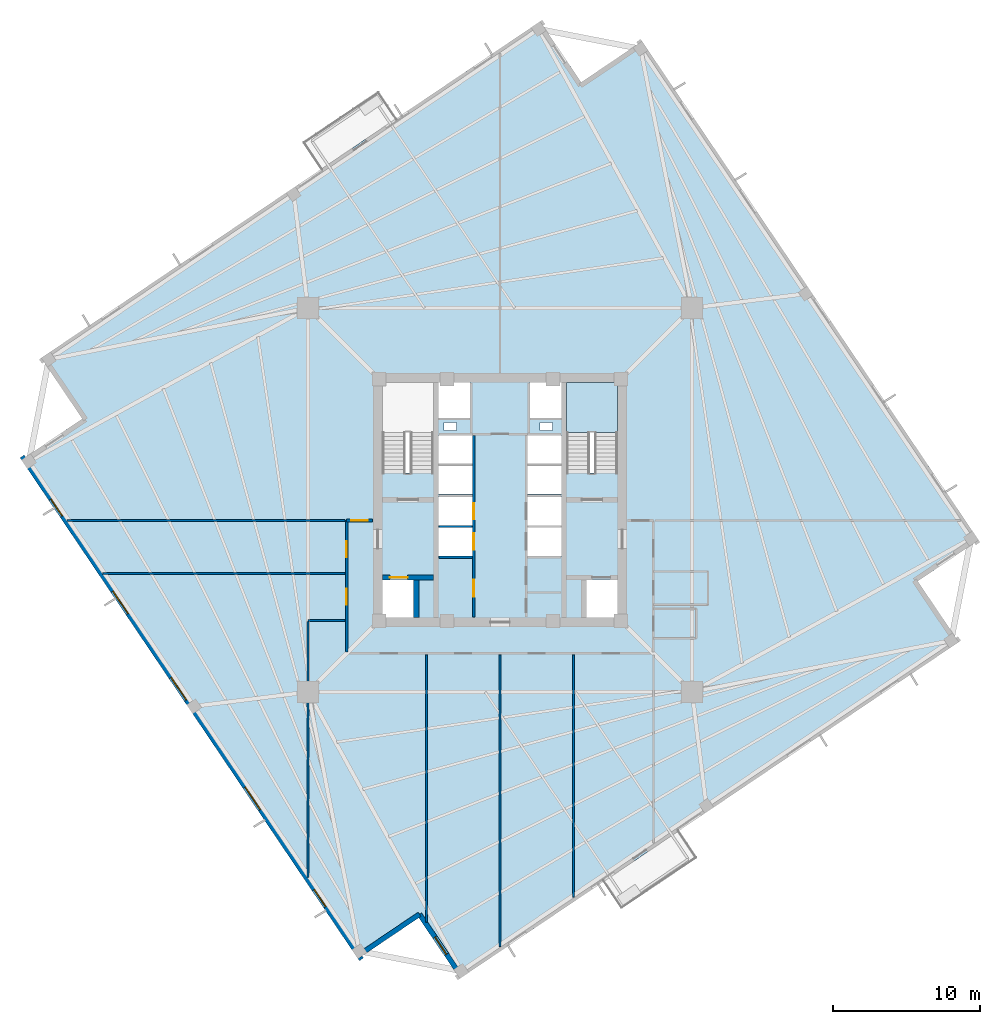
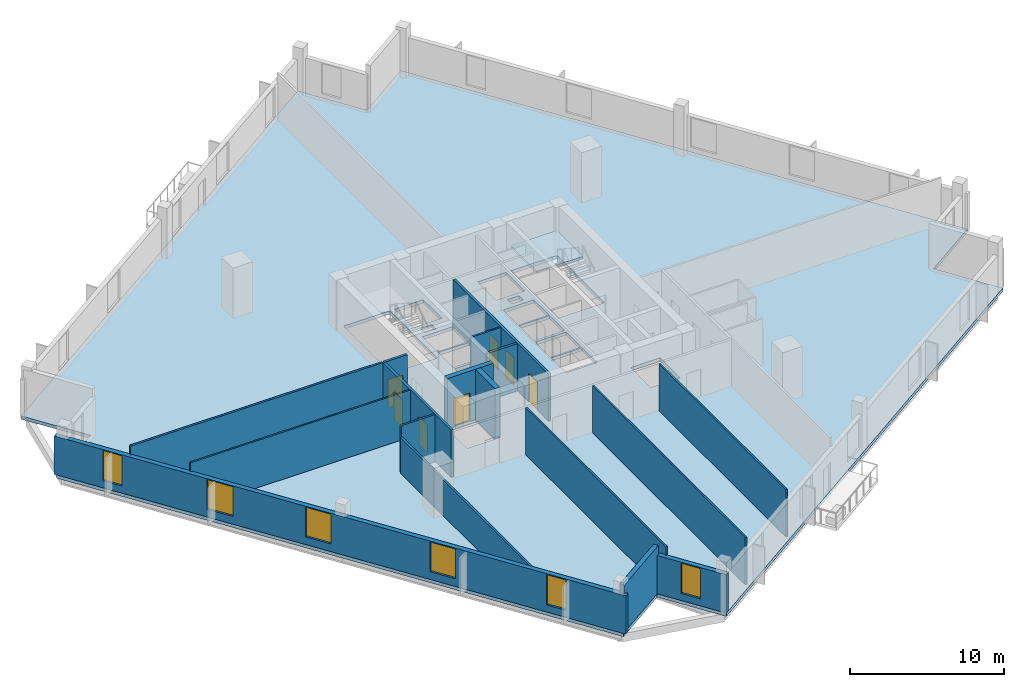
# One storey, part 2 of 8: 17 walls, 7 doors, 6 windows, 2 slabs, 13 openings, 1 element without a shape of its own.
"""IFC4 building model written with IfcOpenShell, lengths in metres."""

from ifc_helpers import new_model, si_unit, direction, frame, frame_2d, origin, place, context, subcontext, project, spatial, polyline, rectangle, outline, extrude, source, transform, mapped, material, layer, layer_set, type_object, element, fill, aggregate, save


model = new_model("IFC4")

# Units and contexts
model_context = context("Model", 3, precision=1e-05, world=origin(), true_north=direction((0.0, 1.0)))
body_context = subcontext(model_context, "Body", "Model", "MODEL_VIEW")
ifc_project = project(units=[si_unit("LENGTHUNIT", "METRE"), si_unit("AREAUNIT", "SQUARE_METRE"), si_unit("VOLUMEUNIT", "CUBIC_METRE"), si_unit("PLANEANGLEUNIT", "RADIAN"), si_unit("MASSUNIT", "GRAM", prefix="KILO"), si_unit("THERMODYNAMICTEMPERATUREUNIT", "KELVIN")], contexts=[model_context])

# Site, building, storey
site_placement = place(None, origin())
site = spatial("IfcSite", under=ifc_project, at=site_placement, CompositionType="ELEMENT")
building_placement = place(site_placement, origin())
building = spatial("IfcBuilding", under=site, at=building_placement, Name="Kosmvard Interchange Tower", CompositionType="ELEMENT")
storey_placement = place(building_placement, frame((0.0, 0.0, 152.39990234375)))
storey = spatial("IfcBuildingStorey", under=building, at=storey_placement, Name="L36", CompositionType="ELEMENT", Elevation=152.39990234375)

# Slab
ifc_material_1 = material(Name="Concrete C50/60", Category="concrete")
ifc_layer_1 = layer(ifc_material_1, 0.260009765625, Name="Concrete C50/60")
ifc_layer_set_1 = layer_set([ifc_layer_1], Name="Concrete C50/60")
slab_type_1 = type_object("IfcSlabType", Name="Mid-Rise Office Composite Slab 260 C50/60", PredefinedType="FLOOR", material=ifc_layer_set_1)
slab_1_placement = place(storey_placement, frame((0.0, 0.0, -0.260009765625)))
element("IfcSlab", 1, at=slab_1_placement, inside=storey, type_object=slab_type_1, Name="L36 Structural Floor Slab", PredefinedType="FLOOR", context=body_context, shape_type="SweptSolid", body=[
    extrude(outline(polyline([(-2.73583984375, -32.60400390625), (31.254638671875, -9.677001953125), (28.458740234375, -5.53173828125), (32.60400390625, -2.73583984375), (9.677001953125, 31.254638671875), (5.53173828125, 28.458740234375), (2.73583984375, 32.60400390625), (-31.254638671875, 9.677001953125), (-28.458740234375, 5.53173828125), (-32.60400390625, 2.73583984375), (-9.677001953125, -31.254638671875), (-5.53173828125, -28.458740234375), (-2.73583984375, -32.60400390625)]), holes=[polyline([(-8.0, 1.8349609375), (-4.5400390625, 1.8349609375), (-4.5400390625, 8.0), (-8.0, 8.0), (-8.0, 1.8349609375)]), polyline([(4.5400390625, 1.8349609375), (8.0, 1.8349609375), (8.0, 8.0), (4.5400390625, 8.0), (4.5400390625, 1.8349609375)]), polyline([(-8.0, -8.0), (-5.800048828125, -8.0), (-5.800048828125, -5.39990234375), (-8.0, -5.39990234375), (-8.0, -8.0)]), polyline([(5.800048828125, -8.0), (8.0, -8.0), (8.0, -5.39990234375), (5.800048828125, -5.39990234375), (5.800048828125, -8.0)]), polyline([(-4.179931640625, -3.800048828125), (-1.8798828125, -3.800048828125), (-1.8798828125, -1.860107421875), (-4.179931640625, -1.860107421875), (-4.179931640625, -3.800048828125)]), polyline([(-4.179931640625, -1.739990234375), (-1.8798828125, -1.739990234375), (-1.8798828125, 0.199951171875), (-4.179931640625, 0.199951171875), (-4.179931640625, -1.739990234375)]), polyline([(1.8798828125, -3.800048828125), (4.179931640625, -3.800048828125), (4.179931640625, -1.860107421875), (1.8798828125, -1.860107421875), (1.8798828125, -3.800048828125)]), polyline([(1.8798828125, -1.739990234375), (4.179931640625, -1.739990234375), (4.179931640625, 0.199951171875), (1.8798828125, 0.199951171875), (1.8798828125, -1.739990234375)]), polyline([(-4.179931640625, 0.39990234375), (-1.8798828125, 0.39990234375), (-1.8798828125, 2.340087890625), (-4.179931640625, 2.340087890625), (-4.179931640625, 0.39990234375)]), polyline([(-4.179931640625, 2.4599609375), (-1.8798828125, 2.4599609375), (-1.8798828125, 4.39990234375), (-4.179931640625, 4.39990234375), (-4.179931640625, 2.4599609375)]), polyline([(1.8798828125, 0.39990234375), (4.179931640625, 0.39990234375), (4.179931640625, 2.340087890625), (1.8798828125, 2.340087890625), (1.8798828125, 0.39990234375)]), polyline([(1.8798828125, 2.4599609375), (4.179931640625, 2.4599609375), (4.179931640625, 4.39990234375), (1.8798828125, 4.39990234375), (1.8798828125, 2.4599609375)]), polyline([(-4.179931640625, 5.60009765625), (-2.0400390625, 5.60009765625), (-2.0400390625, 8.0), (-4.179931640625, 8.0), (-4.179931640625, 5.60009765625)]), polyline([(2.0400390625, 5.60009765625), (4.179931640625, 5.60009765625), (4.179931640625, 8.0), (2.0400390625, 8.0), (2.0400390625, 5.60009765625)]), polyline([(-3.81494140625, 4.739990234375), (-2.965087890625, 4.739990234375), (-2.965087890625, 5.2900390625), (-3.81494140625, 5.2900390625), (-3.81494140625, 4.739990234375)]), polyline([(2.715087890625, 4.739990234375), (3.56494140625, 4.739990234375), (3.56494140625, 5.2900390625), (2.715087890625, 5.2900390625), (2.715087890625, 4.739990234375)])]), origin(), (0.0, 0.0, 1.0), 0.260009765625),
])

# Stair, slab
stair_type = type_object("IfcStairType", Name="Dog-Leg Core Exit Stair H4000 C50/60", PredefinedType="HALF_TURN_STAIR", material=ifc_material_1)
stair_placement = place(storey_placement, origin())
stair = element("IfcStair", 2, at=stair_placement, inside=storey, type_object=stair_type, Name="L36 Protected Exit Stair ST-2", PredefinedType="HALF_TURN_STAIR")
ifc_layer_2 = layer(ifc_material_1, 0.199951171875, Name="Concrete C50/60")
ifc_layer_set_2 = layer_set([ifc_layer_2], Name="Concrete C50/60")
slab_type_2 = type_object("IfcSlabType", Name="Stair Half-Landing Slab 200 C50/60", PredefinedType="LANDING", material=ifc_layer_set_2)
slab_2_placement = place(storey_placement, frame((0.0, 0.0, 1.800048828125)))
slab_2 = element("IfcSlab", 3, at=slab_2_placement, type_object=slab_type_2, Name="ST-2 landing 1", PredefinedType="LANDING", context=body_context, shape_type="SweptSolid", body=[
    extrude(outline(polyline([(8.0, 4.60009765625), (8.0, 8.0), (4.5400390625, 8.0), (4.5400390625, 4.60009765625), (8.0, 4.60009765625)])), origin(), (0.0, 0.0, 1.0), 0.199951171875),
])
aggregate(stair, [slab_2])

# Walls
ifc_material_2 = material(Name="Acoustic gypsum partition system")
ifc_layer_3 = layer(ifc_material_2, 0.14990234375, Name="Acoustic gypsum partition system")
ifc_layer_set_3 = layer_set([ifc_layer_3], Name="Acoustic gypsum partition system")
wall_type_1 = type_object("IfcWallType", Name="Acoustic Suite & Meeting Partition 150", PredefinedType="PARTITIONING", material=ifc_layer_set_3)
wall_1_placement = place(storey_placement, frame((-29.482421875, -1.39990234375, 0.0), z_axis=(0.0, 0.0, 1.0), x_axis=(1.0, 0.0, 0.0)))
element("IfcWall", 4, at=wall_1_placement, inside=storey, type_object=wall_type_1, Name="L36 Room Partition 02.1", PredefinedType="PARTITIONING", context=body_context, shape_type="SweptSolid", body=[
    extrude(rectangle(XDim=18.9375, YDim=0.14990234375, at=frame_2d((9.46875, 0.0))), origin(), (0.0, 0.0, 1.0), 3.739990234375),
])
wall_2_placement = place(storey_placement, frame((-10.544921875, -8.199951171875, 0.0), z_axis=(0.0, 0.0, 1.0), x_axis=(-1.0, 0.0, 0.0)))
element("IfcWall", 5, at=wall_2_placement, inside=storey, type_object=wall_type_1, Name="L36 Room Partition 04.1", PredefinedType="PARTITIONING", context=body_context, shape_type="SweptSolid", body=[
    extrude(rectangle(XDim=2.5361328125, YDim=0.14990234375, at=frame_2d((1.26806640625, 0.0))), origin(), (0.0, 0.0, 1.0), 3.739990234375),
])
wall_3_placement = place(storey_placement, frame((-13.0810546875, -8.27490234375, 0.0), z_axis=(0.0, 0.0, 1.0), x_axis=(0.0, -1.0, 0.0)))
element("IfcWall", 6, at=wall_3_placement, inside=storey, type_object=wall_type_1, Name="L36 Room Partition 05.1", PredefinedType="PARTITIONING", context=body_context, shape_type="SweptSolid", body=[
    extrude(rectangle(XDim=17.44140625, YDim=0.14990234375, at=frame_2d((8.720703125, 0.0))), origin(), (0.0, 0.0, 1.0), 2.840087890625),
])

# Wall, openings, doors
ifc_material_3 = material(Name="Fire-rated gypsum partition system")
ifc_layer_4 = layer(ifc_material_3, 0.179931640625, Name="Fire-rated gypsum partition system")
ifc_layer_set_4 = layer_set([ifc_layer_4], Name="Fire-rated gypsum partition system")
wall_type_2 = type_object("IfcWallType", Name="Corridor & Hotel Compartment Partition 180", PredefinedType="PARTITIONING", material=ifc_layer_set_4)
wall_4_placement = place(storey_placement, frame((-1.7900390625, -7.97998046875, 0.0), z_axis=(0.0, 0.0, 1.0), x_axis=(0.0, 1.0, 0.0)))
wall_4 = element("IfcWall", 7, at=wall_4_placement, inside=storey, type_object=wall_type_2, Name="L36 West Lift Bank Front Wall", PredefinedType="PARTITIONING", context=body_context, shape_type="SweptSolid", body=[
    extrude(rectangle(XDim=12.3798828125, YDim=0.179931640625, at=frame_2d((6.18994140625, 0.0))), origin(), (0.0, 0.0, 1.0), 3.739990234375),
])
opening_1_placement = place(wall_4_placement, frame((4.60009765625, 0.0, 0.0)))
opening_1 = element("IfcOpeningElement", 8, at=opening_1_placement, cuts=wall_4, Name="Opening LD-PL-M1-L36", PredefinedType="OPENING", context=body_context, shape_type="SweptSolid", body=[
    extrude(rectangle(XDim=1.10009765625, YDim=2.199951171875, at=frame_2d((0.550048828125, 1.10009765625))), frame((0.0, 0.10009765625, 0.0), z_axis=(0.0, -1.0, 0.0), x_axis=(1.0, 0.0, 0.0)), (0.0, 0.0, 1.0), 0.199951171875),
])
opening_2_placement = place(wall_4_placement, frame((6.659912109375, 0.0, 0.0)))
opening_2 = element("IfcOpeningElement", 9, at=opening_2_placement, cuts=wall_4, Name="Opening LD-PL-M2-L36", PredefinedType="OPENING", context=body_context, shape_type="SweptSolid", body=[
    extrude(rectangle(XDim=1.10009765625, YDim=2.199951171875, at=frame_2d((0.550048828125, 1.10009765625))), frame((0.0, 0.10009765625, 0.0), z_axis=(0.0, -1.0, 0.0), x_axis=(1.0, 0.0, 0.0)), (0.0, 0.0, 1.0), 0.199951171875),
])
opening_3_placement = place(wall_4_placement, frame((1.39990234375, 0.0, 0.0)))
opening_3 = element("IfcOpeningElement", 10, at=opening_3_placement, cuts=wall_4, Name="Opening L36-CD1", PredefinedType="OPENING", context=body_context, shape_type="SweptSolid", body=[
    extrude(rectangle(XDim=1.14990234375, YDim=2.25, at=frame_2d((0.574951171875, 1.125))), frame((0.0, 0.10009765625, 0.0), z_axis=(0.0, -1.0, 0.0), x_axis=(1.0, 0.0, 0.0)), (0.0, 0.0, 1.0), 0.199951171875),
])
ifc_material_4 = material(Name="Painted fire-rated steel leaf", Category="steel")
door_type_1 = type_object("IfcDoorType", Name="Plant & Riser Fire Door 1150x2250 EI60", OperationType="NOTDEFINED", PredefinedType="DOOR", material=ifc_material_4)
shared_shape_1 = source(origin(), body_context, "Body", "SweptSolid", [
    extrude(rectangle(XDim=1.14990234375, YDim=2.25, at=frame_2d((0.574951171875, 1.125))), frame((0.0, 0.02490234375, 0.0), z_axis=(0.0, -1.0, 0.0), x_axis=(1.0, 0.0, 0.0)), (0.0, 0.0, 1.0), 0.050048828125),
])
door_1_placement = place(opening_3_placement, origin())
door_1 = element("IfcDoor", 11, at=door_1_placement, inside=storey, type_object=door_type_1, Name="L36 Core Server Door", OperationType="SINGLE_SWING_LEFT", OverallHeight=2.25, OverallWidth=1.14990234375, PredefinedType="DOOR", context=body_context, shape_type="MappedRepresentation", body=[
    mapped(shared_shape_1, transform((0.0, 0.0, 0.0), scale=1.0)),
])
fill(opening_3, door_1)
ifc_material_5 = material(Name="Brushed stainless steel sliding leaf", Category="steel")
door_type_2 = type_object("IfcDoorType", Name="Passenger Lift Sliding Landing Door 1100x2200 EI60", OperationType="DOUBLE_DOOR_SLIDING", PredefinedType="DOOR", material=ifc_material_5)
shared_shape_2 = source(origin(), body_context, "Body", "SweptSolid", [
    extrude(rectangle(XDim=1.10009765625, YDim=2.199951171875, at=frame_2d((0.550048828125, 1.10009765625))), frame((0.0, 0.02490234375, 0.0), z_axis=(0.0, -1.0, 0.0), x_axis=(1.0, 0.0, 0.0)), (0.0, 0.0, 1.0), 0.050048828125),
])
door_2_placement = place(opening_1_placement, frame((1.10009765625, 0.0, 0.0), z_axis=(0.0, 0.0, 1.0), x_axis=(-1.0, 0.0, 0.0)))
door_2 = element("IfcDoor", 12, at=door_2_placement, inside=storey, type_object=door_type_2, Name="Lift PL-M1 Landing Door L36", OperationType="DOUBLE_DOOR_SLIDING", OverallHeight=2.199951171875, OverallWidth=1.10009765625, PredefinedType="DOOR", context=body_context, shape_type="MappedRepresentation", body=[
    mapped(shared_shape_2, transform((0.0, 0.0, 0.0), scale=1.0)),
])
fill(opening_1, door_2)
door_3_placement = place(opening_2_placement, frame((1.10009765625, 0.0, 0.0), z_axis=(0.0, 0.0, 1.0), x_axis=(-1.0, 0.0, 0.0)))
door_3 = element("IfcDoor", 13, at=door_3_placement, inside=storey, type_object=door_type_2, Name="Lift PL-M2 Landing Door L36", OperationType="DOUBLE_DOOR_SLIDING", OverallHeight=2.199951171875, OverallWidth=1.10009765625, PredefinedType="DOOR", context=body_context, shape_type="MappedRepresentation", body=[
    mapped(shared_shape_2, transform((0.0, 0.0, 0.0), scale=1.0)),
])
fill(opening_2, door_3)

wall_5_placement = place(storey_placement, frame((-10.449951171875, -10.35009765625, 0.0), z_axis=(0.0, 0.0, 1.0), x_axis=(0.0, 1.0, 0.0)))
wall_5 = element("IfcWall", 14, at=wall_5_placement, inside=storey, type_object=wall_type_2, Name="L36 Corridor Wall CW", PredefinedType="PARTITIONING", context=body_context, shape_type="SweptSolid", body=[
    extrude(rectangle(XDim=8.9501953125, YDim=0.179931640625, at=frame_2d((4.47509765625, 0.0))), origin(), (0.0, 0.0, 1.0), 3.739990234375),
])
opening_4_placement = place(wall_5_placement, frame((6.435546875, 0.0, 0.0)))
opening_4 = element("IfcOpeningElement", 15, at=opening_4_placement, cuts=wall_5, Name="Opening L36-D05", PredefinedType="OPENING", context=body_context, shape_type="SweptSolid", body=[
    extrude(rectangle(XDim=1.10009765625, YDim=2.199951171875, at=frame_2d((0.550048828125, 1.10009765625))), frame((0.0, 0.10009765625, 0.0), z_axis=(0.0, -1.0, 0.0), x_axis=(1.0, 0.0, 0.0)), (0.0, 0.0, 1.0), 0.199951171875),
])
opening_5_placement = place(wall_5_placement, frame((3.199951171875, 0.0, 0.0)))
opening_5 = element("IfcOpeningElement", 16, at=opening_5_placement, cuts=wall_5, Name="Opening L36-D06", PredefinedType="OPENING", context=body_context, shape_type="SweptSolid", body=[
    extrude(rectangle(XDim=1.10009765625, YDim=2.199951171875, at=frame_2d((0.550048828125, 1.10009765625))), frame((0.0, 0.10009765625, 0.0), z_axis=(0.0, -1.0, 0.0), x_axis=(1.0, 0.0, 0.0)), (0.0, 0.0, 1.0), 0.199951171875),
])
ifc_material_6 = material(Name="Engineered oak fire-rated timber", Category="wood")
door_type_3 = type_object("IfcDoorType", Name="Office Suite Entrance Door 1100x2200 FD30S", OperationType="NOTDEFINED", PredefinedType="DOOR", material=ifc_material_6)
door_4_placement = place(opening_4_placement, origin())
door_4 = element("IfcDoor", 17, at=door_4_placement, inside=storey, type_object=door_type_3, Name="L36 Tech Hub Pantry Door", OperationType="SINGLE_SWING_LEFT", OverallHeight=2.199951171875, OverallWidth=1.10009765625, PredefinedType="DOOR", context=body_context, shape_type="MappedRepresentation", body=[
    mapped(shared_shape_2, transform((0.0, 0.0, 0.0), scale=1.0)),
])
fill(opening_4, door_4)
door_5_placement = place(opening_5_placement, origin())
door_5 = element("IfcDoor", 18, at=door_5_placement, inside=storey, type_object=door_type_3, Name="L36 West Systems Office 1 Door", OperationType="SINGLE_SWING_RIGHT", OverallHeight=2.199951171875, OverallWidth=1.10009765625, PredefinedType="DOOR", context=body_context, shape_type="MappedRepresentation", body=[
    mapped(shared_shape_2, transform((0.0, 0.0, 0.0), scale=1.0)),
])
fill(opening_5, door_5)

# Wall, opening, door
wall_6_placement = place(storey_placement, frame((-10.449951171875, -1.39990234375, 0.0), z_axis=(0.0, 0.0, 1.0), x_axis=(1.0, 0.0, 0.0)))
wall_6 = element("IfcWall", 19, at=wall_6_placement, inside=storey, type_object=wall_type_2, Name="L36 Corridor Wall CNW", PredefinedType="PARTITIONING", context=body_context, shape_type="SweptSolid", body=[
    extrude(rectangle(XDim=1.75, YDim=0.179931640625, at=frame_2d((0.875, 0.0))), origin(), (0.0, 0.0, 1.0), 3.739990234375),
])
opening_6_placement = place(wall_6_placement, frame((0.324951171875, 0.0, 0.0)))
opening_6 = element("IfcOpeningElement", 20, at=opening_6_placement, cuts=wall_6, Name="Opening L36-D03", PredefinedType="OPENING", context=body_context, shape_type="SweptSolid", body=[
    extrude(rectangle(XDim=1.10009765625, YDim=2.199951171875, at=frame_2d((0.550048828125, 1.10009765625))), frame((0.0, 0.10009765625, 0.0), z_axis=(0.0, -1.0, 0.0), x_axis=(1.0, 0.0, 0.0)), (0.0, 0.0, 1.0), 0.199951171875),
])
door_6_placement = place(opening_6_placement, origin())
door_6 = element("IfcDoor", 21, at=door_6_placement, inside=storey, type_object=door_type_3, Name="L36 North-West Technology Workplace Door", OperationType="SINGLE_SWING_LEFT", OverallHeight=2.199951171875, OverallWidth=1.10009765625, PredefinedType="DOOR", context=body_context, shape_type="MappedRepresentation", body=[
    mapped(shared_shape_2, transform((0.0, 0.0, 0.0), scale=1.0)),
])
fill(opening_6, door_6)

# Wall, openings, windows
ifc_material_7 = material(Name="Precast concrete C45/55", Category="concrete")
ifc_layer_5 = layer(ifc_material_7, 0.340087890625, Name="Precast concrete C45/55")
ifc_layer_set_5 = layer_set([ifc_layer_5], Name="Precast concrete C45/55")
wall_type_3 = type_object("IfcWallType", Name="Mid Tower Precast Pier Wall 340 C45/55", PredefinedType="STANDARD", material=ifc_layer_set_5)
wall_7_placement = place(storey_placement, frame((-32.55810546875, 2.971923828125, 0.0), z_axis=(0.0, 0.0, 1.0), x_axis=(0.559194910251, -0.829036218961, 0.0)))
wall_7 = element("IfcWall", 22, at=wall_7_placement, inside=storey, type_object=wall_type_3, Name="L36 Precast Facade Wall F-W", PredefinedType="STANDARD", context=body_context, shape_type="SweptSolid", body=[
    extrude(rectangle(XDim=41.340087890625, YDim=0.340087890625, at=frame_2d((20.669921875, 0.0))), origin(), (0.0, 0.0, 1.0), 3.0400390625),
])
opening_7_placement = place(wall_7_placement, frame((3.5107421875, 0.0, 0.56005859375)))
opening_7 = element("IfcOpeningElement", 23, at=opening_7_placement, cuts=wall_7, Name="Opening L36-W16", PredefinedType="OPENING", context=body_context, shape_type="SweptSolid", body=[
    extrude(rectangle(XDim=1.39990234375, YDim=2.39990234375, at=frame_2d((0.699951171875, 1.199951171875))), frame((0.0, 0.18017578125, 0.0), z_axis=(0.0, -1.0, 0.0), x_axis=(1.0, 0.0, 0.0)), (0.0, 0.0, 1.0), 0.360107421875),
])
opening_8_placement = place(wall_7_placement, frame((11.063720703125, 0.0, 0.610107421875)))
opening_8 = element("IfcOpeningElement", 24, at=opening_8_placement, cuts=wall_7, Name="Opening L36-W17", PredefinedType="OPENING", context=body_context, shape_type="SweptSolid", body=[
    extrude(rectangle(XDim=1.85009765625, YDim=2.35009765625, at=frame_2d((0.925048828125, 1.175048828125))), frame((0.0, 0.18017578125, 0.0), z_axis=(0.0, -1.0, 0.0), x_axis=(1.0, 0.0, 0.0)), (0.0, 0.0, 1.0), 0.360107421875),
])
opening_9_placement = place(wall_7_placement, frame((18.168212890625, 0.0, 0.610107421875)))
opening_9 = element("IfcOpeningElement", 25, at=opening_9_placement, cuts=wall_7, Name="Opening L36-W18", PredefinedType="OPENING", context=body_context, shape_type="SweptSolid", body=[
    extrude(rectangle(XDim=1.85009765625, YDim=2.35009765625, at=frame_2d((0.925048828125, 1.175048828125))), frame((0.0, 0.18017578125, 0.0), z_axis=(0.0, -1.0, 0.0), x_axis=(1.0, 0.0, 0.0)), (0.0, 0.0, 1.0), 0.360107421875),
])
opening_10_placement = place(wall_7_placement, frame((27.186279296875, 0.0, 0.610107421875)))
opening_10 = element("IfcOpeningElement", 26, at=opening_10_placement, cuts=wall_7, Name="Opening L36-W19", PredefinedType="OPENING", context=body_context, shape_type="SweptSolid", body=[
    extrude(rectangle(XDim=1.85009765625, YDim=2.35009765625, at=frame_2d((0.925048828125, 1.175048828125))), frame((0.0, 0.18017578125, 0.0), z_axis=(0.0, -1.0, 0.0), x_axis=(1.0, 0.0, 0.0)), (0.0, 0.0, 1.0), 0.360107421875),
])
opening_11_placement = place(wall_7_placement, frame((35.602294921875, 0.0, 0.56005859375)))
opening_11 = element("IfcOpeningElement", 27, at=opening_11_placement, cuts=wall_7, Name="Opening L36-W20", PredefinedType="OPENING", context=body_context, shape_type="SweptSolid", body=[
    extrude(rectangle(XDim=1.39990234375, YDim=2.39990234375, at=frame_2d((0.699951171875, 1.199951171875))), frame((0.0, 0.18017578125, 0.0), z_axis=(0.0, -1.0, 0.0), x_axis=(1.0, 0.0, 0.0)), (0.0, 0.0, 1.0), 0.360107421875),
])
ifc_material_8 = material(Name="Low-E solar-control double glazing", Category="glass")
window_type_1 = type_object("IfcWindowType", Name="Notched Corner Feature Window 1400x2400", PartitioningType="SINGLE_PANEL", PredefinedType="WINDOW", material=ifc_material_8)
shared_shape_3 = source(origin(), body_context, "Body", "SweptSolid", [
    extrude(rectangle(XDim=1.39990234375, YDim=2.39990234375, at=frame_2d((0.699951171875, 1.199951171875))), frame((0.0, 0.030029296875, 0.0), z_axis=(0.0, -1.0, 0.0), x_axis=(1.0, 0.0, 0.0)), (0.0, 0.0, 1.0), 0.06005859375),
])
window_1_placement = place(opening_7_placement, origin())
window_1 = element("IfcWindow", 28, at=window_1_placement, inside=storey, type_object=window_type_1, Name="L36 Facade Punched Window 16", OverallHeight=2.39990234375, OverallWidth=1.39990234375, PartitioningType="SINGLE_PANEL", PredefinedType="WINDOW", context=body_context, shape_type="MappedRepresentation", body=[
    mapped(shared_shape_3, transform((0.0, 0.0, 0.0), scale=1.0)),
])
fill(opening_7, window_1)
window_2_placement = place(opening_11_placement, origin())
window_2 = element("IfcWindow", 29, at=window_2_placement, inside=storey, type_object=window_type_1, Name="L36 Facade Punched Window 20", OverallHeight=2.39990234375, OverallWidth=1.39990234375, PartitioningType="SINGLE_PANEL", PredefinedType="WINDOW", context=body_context, shape_type="MappedRepresentation", body=[
    mapped(shared_shape_3, transform((0.0, 0.0, 0.0), scale=1.0)),
])
fill(opening_11, window_2)
window_type_2 = type_object("IfcWindowType", Name="Zone 3 Office Punched Window 1850x2350", PartitioningType="SINGLE_PANEL", PredefinedType="WINDOW", material=ifc_material_8)
shared_shape_4 = source(origin(), body_context, "Body", "SweptSolid", [
    extrude(rectangle(XDim=1.85009765625, YDim=2.35009765625, at=frame_2d((0.925048828125, 1.175048828125))), frame((0.0, 0.030029296875, 0.0), z_axis=(0.0, -1.0, 0.0), x_axis=(1.0, 0.0, 0.0)), (0.0, 0.0, 1.0), 0.06005859375),
])
window_3_placement = place(opening_8_placement, origin())
window_3 = element("IfcWindow", 30, at=window_3_placement, inside=storey, type_object=window_type_2, Name="L36 Facade Punched Window 17", OverallHeight=2.35009765625, OverallWidth=1.85009765625, PartitioningType="SINGLE_PANEL", PredefinedType="WINDOW", context=body_context, shape_type="MappedRepresentation", body=[
    mapped(shared_shape_4, transform((0.0, 0.0, 0.0), scale=1.0)),
])
fill(opening_8, window_3)
window_4_placement = place(opening_9_placement, origin())
window_4 = element("IfcWindow", 31, at=window_4_placement, inside=storey, type_object=window_type_2, Name="L36 Facade Punched Window 18", OverallHeight=2.35009765625, OverallWidth=1.85009765625, PartitioningType="SINGLE_PANEL", PredefinedType="WINDOW", context=body_context, shape_type="MappedRepresentation", body=[
    mapped(shared_shape_4, transform((0.0, 0.0, 0.0), scale=1.0)),
])
fill(opening_9, window_4)
window_5_placement = place(opening_10_placement, origin())
window_5 = element("IfcWindow", 32, at=window_5_placement, inside=storey, type_object=window_type_2, Name="L36 Facade Punched Window 19", OverallHeight=2.35009765625, OverallWidth=1.85009765625, PartitioningType="SINGLE_PANEL", PredefinedType="WINDOW", context=body_context, shape_type="MappedRepresentation", body=[
    mapped(shared_shape_4, transform((0.0, 0.0, 0.0), scale=1.0)),
])
fill(opening_10, window_5)

# Wall
wall_8_placement = place(storey_placement, frame((-9.631103515625, -31.018798828125, 0.0), z_axis=(0.0, 0.0, 1.0), x_axis=(0.829025804298, 0.559210350234, 0.0)))
element("IfcWall", 33, at=wall_8_placement, inside=storey, type_object=wall_type_3, Name="L36 Precast Facade Wall N-SW1", PredefinedType="STANDARD", context=body_context, shape_type="SweptSolid", body=[
    extrude(rectangle(XDim=5.000244140625, YDim=0.340087890625, at=frame_2d((2.5, 0.0))), origin(), (0.0, 0.0, 1.0), 3.739990234375),
])

# Wall, opening, window
wall_9_placement = place(storey_placement, frame((-5.48583984375, -28.22265625, 0.0), z_axis=(0.0, 0.0, 1.0), x_axis=(0.559171107879, -0.82905227345, 0.0)))
wall_9 = element("IfcWall", 34, at=wall_9_placement, inside=storey, type_object=wall_type_3, Name="L36 Precast Facade Wall N-SW2", PredefinedType="STANDARD", context=body_context, shape_type="SweptSolid", body=[
    extrude(rectangle(XDim=5.169921875, YDim=0.340087890625, at=frame_2d((2.5849609375, 0.0))), origin(), (0.0, 0.0, 1.0), 3.0400390625),
])
opening_12_placement = place(wall_9_placement, frame((1.885009765625, 0.0, 0.56005859375)))
opening_12 = element("IfcOpeningElement", 35, at=opening_12_placement, cuts=wall_9, Name="Opening L36-W24", PredefinedType="OPENING", context=body_context, shape_type="SweptSolid", body=[
    extrude(rectangle(XDim=1.39990234375, YDim=2.39990234375, at=frame_2d((0.699951171875, 1.199951171875))), frame((0.0, 0.18017578125, 0.0), z_axis=(0.0, -1.0, 0.0), x_axis=(1.0, 0.0, 0.0)), (0.0, 0.0, 1.0), 0.360107421875),
])
window_6_placement = place(opening_12_placement, origin())
window_6 = element("IfcWindow", 36, at=window_6_placement, inside=storey, type_object=window_type_1, Name="L36 Corner Notch Window 24", OverallHeight=2.39990234375, OverallWidth=1.39990234375, PartitioningType="SINGLE_PANEL", PredefinedType="WINDOW", context=body_context, shape_type="MappedRepresentation", body=[
    mapped(shared_shape_3, transform((0.0, 0.0, 0.0), scale=1.0)),
])
fill(opening_12, window_6)

# Walls
ifc_material_9 = material(Name="Gypsum board partition system")
ifc_layer_6 = layer(ifc_material_9, 0.1201171875, Name="Gypsum board partition system")
ifc_layer_set_6 = layer_set([ifc_layer_6], Name="Gypsum board partition system")
wall_type_4 = type_object("IfcWallType", Name="Office Cellular Partition 120", PredefinedType="PARTITIONING", material=ifc_layer_set_6)
wall_10_placement = place(storey_placement, frame((-27.05419921875, -5.0, 0.0), z_axis=(0.0, 0.0, 1.0), x_axis=(1.0, 0.0, 0.0)))
element("IfcWall", 37, at=wall_10_placement, inside=storey, type_object=wall_type_4, Name="L36 Room Partition 06.1", PredefinedType="PARTITIONING", context=body_context, shape_type="SweptSolid", body=[
    extrude(rectangle(XDim=16.50927734375, YDim=0.1201171875, at=frame_2d((8.254638671875, 0.0))), origin(), (0.0, 0.0, 1.0), 3.739990234375),
])
wall_11_placement = place(storey_placement, frame((-5.0, -28.75537109375, 0.0), z_axis=(0.0, 0.0, 1.0), x_axis=(0.0, 1.0, 0.0)))
element("IfcWall", 38, at=wall_11_placement, inside=storey, type_object=wall_type_4, Name="L36 Room Partition 07.1", PredefinedType="PARTITIONING", context=body_context, shape_type="SweptSolid", body=[
    extrude(rectangle(XDim=18.21044921875, YDim=0.1201171875, at=frame_2d((9.105224609375, 0.0))), origin(), (0.0, 0.0, 1.0), 3.739990234375),
])
wall_12_placement = place(storey_placement, frame((0.0, -30.4267578125, 0.0), z_axis=(0.0, 0.0, 1.0), x_axis=(0.0, 1.0, 0.0)))
element("IfcWall", 39, at=wall_12_placement, inside=storey, type_object=wall_type_4, Name="L36 Room Partition 08.1", PredefinedType="PARTITIONING", context=body_context, shape_type="SweptSolid", body=[
    extrude(rectangle(XDim=19.8818359375, YDim=0.1201171875, at=frame_2d((9.94091796875, 0.0))), origin(), (0.0, 0.0, 1.0), 3.739990234375),
])
wall_13_placement = place(storey_placement, frame((5.0, -27.05419921875, 0.0), z_axis=(0.0, 0.0, 1.0), x_axis=(0.0, 1.0, 0.0)))
element("IfcWall", 40, at=wall_13_placement, inside=storey, type_object=wall_type_4, Name="L36 Room Partition 09.1", PredefinedType="PARTITIONING", context=body_context, shape_type="SweptSolid", body=[
    extrude(rectangle(XDim=16.50927734375, YDim=0.1201171875, at=frame_2d((8.254638671875, 0.0))), origin(), (0.0, 0.0, 1.0), 3.739990234375),
])
ifc_material_10 = material(Name="Concrete blockwork masonry", Category="masonry")
ifc_layer_7 = layer(ifc_material_10, 0.179931640625, Name="Concrete blockwork masonry")
ifc_layer_set_7 = layer_set([ifc_layer_7], Name="Concrete blockwork masonry")
wall_type_5 = type_object("IfcWallType", Name="Riser & Lift Bank Divider Wall 180", PredefinedType="PARTITIONING", material=ifc_layer_set_7)
wall_14_placement = place(storey_placement, frame((-4.169921875, -3.89990234375, 0.0), z_axis=(0.0, 0.0, 1.0), x_axis=(1.0, 0.0, 0.0)))
element("IfcWall", 41, at=wall_14_placement, inside=storey, type_object=wall_type_5, Name="L36 West Bank Divider BD1", PredefinedType="PARTITIONING", context=body_context, shape_type="SweptSolid", body=[
    extrude(rectangle(XDim=2.280029296875, YDim=0.179931640625, at=frame_2d((1.14013671875, 0.0))), origin(), (0.0, 0.0, 1.0), 3.739990234375),
])
ifc_material_11 = material(Name="Fire-rated gypsum shaftwall system")
ifc_layer_8 = layer(ifc_material_11, 0.1201171875, Name="Fire-rated gypsum shaftwall system")
ifc_layer_set_8 = layer_set([ifc_layer_8], Name="Fire-rated gypsum shaftwall system")
wall_type_6 = type_object("IfcWallType", Name="Shaft & Riser Fire Partition 120 EI60", PredefinedType="PARTITIONING", material=ifc_layer_set_8)
wall_15_placement = place(storey_placement, frame((-4.159912109375, -1.800048828125, 0.0), z_axis=(0.0, 0.0, 1.0), x_axis=(1.0, 0.0, 0.0)))
element("IfcWall", 42, at=wall_15_placement, inside=storey, type_object=wall_type_6, Name="L36 Shaft Divider PL-M1", PredefinedType="PARTITIONING", context=body_context, shape_type="SweptSolid", body=[
    extrude(rectangle(XDim=2.260009765625, YDim=0.1201171875, at=frame_2d((1.1298828125, 0.0))), origin(), (0.0, 0.0, 1.0), 3.739990234375),
])

# Wall, opening, door
ifc_material_12 = material(Name="Concrete C60/75", Category="concrete")
ifc_layer_9 = layer(ifc_material_12, 0.360107421875, Name="Concrete C60/75")
ifc_layer_set_9 = layer_set([ifc_layer_9], Name="Concrete C60/75")
wall_type_7 = type_object("IfcWallType", Name="Stair & Lift Shaft Shear Wall 360 C60/75", PredefinedType="SHEAR", material=ifc_layer_set_9)
wall_16_placement = place(storey_placement, frame((-8.0, -5.280029296875, 0.0), z_axis=(0.0, 0.0, 1.0), x_axis=(1.0, 0.0, 0.0)))
wall_16 = element("IfcWall", 43, at=wall_16_placement, inside=storey, type_object=wall_type_7, Name="L36 Shaft Shear Wall SW-FF1", PredefinedType="SHEAR", context=body_context, shape_type="SweptSolid", body=[
    extrude(rectangle(XDim=3.4599609375, YDim=0.360107421875, at=frame_2d((1.72998046875, 0.0))), origin(), (0.0, 0.0, 1.0), 4.0),
])
opening_13_placement = place(wall_16_placement, frame((0.5, 0.0, 0.0)))
opening_13 = element("IfcOpeningElement", 44, at=opening_13_placement, cuts=wall_16, Name="Opening LD-FF-1-L36", PredefinedType="OPENING", context=body_context, shape_type="SweptSolid", body=[
    extrude(rectangle(XDim=1.199951171875, YDim=2.25, at=frame_2d((0.60009765625, 1.125))), frame((0.0, 0.18994140625, 0.0), z_axis=(0.0, -1.0, 0.0), x_axis=(1.0, 0.0, 0.0)), (0.0, 0.0, 1.0), 0.380126953125),
])
door_type_4 = type_object("IfcDoorType", Name="Firefighting Lift Sliding Landing Door 1200x2250 EI120", OperationType="DOUBLE_DOOR_SLIDING", PredefinedType="DOOR", material=ifc_material_5)
shared_shape_5 = source(origin(), body_context, "Body", "SweptSolid", [
    extrude(rectangle(XDim=1.199951171875, YDim=2.25, at=frame_2d((0.60009765625, 1.125))), frame((0.0, 0.02490234375, 0.0), z_axis=(0.0, -1.0, 0.0), x_axis=(1.0, 0.0, 0.0)), (0.0, 0.0, 1.0), 0.050048828125),
])
door_7_placement = place(opening_13_placement, origin())
door_7 = element("IfcDoor", 45, at=door_7_placement, inside=storey, type_object=door_type_4, Name="Lift FF-1 Landing Door L36", OperationType="DOUBLE_DOOR_SLIDING", OverallHeight=2.25, OverallWidth=1.199951171875, PredefinedType="DOOR", context=body_context, shape_type="MappedRepresentation", body=[
    mapped(shared_shape_5, transform((0.0, 0.0, 0.0), scale=1.0)),
])
fill(opening_13, door_7)

# Wall
wall_17_placement = place(storey_placement, frame((-5.7099609375, -8.0, 0.0), z_axis=(0.0, 0.0, 1.0), x_axis=(0.0, 1.0, 0.0)))
element("IfcWall", 46, at=wall_17_placement, inside=storey, type_object=wall_type_7, Name="L36 Shaft Shear Wall SW-SM1", PredefinedType="SHEAR", context=body_context, shape_type="SweptSolid", body=[
    extrude(rectangle(XDim=2.5400390625, YDim=0.360107421875, at=frame_2d((1.27001953125, 0.0))), origin(), (0.0, 0.0, 1.0), 4.0),
])

save(model, "model.ifc")
